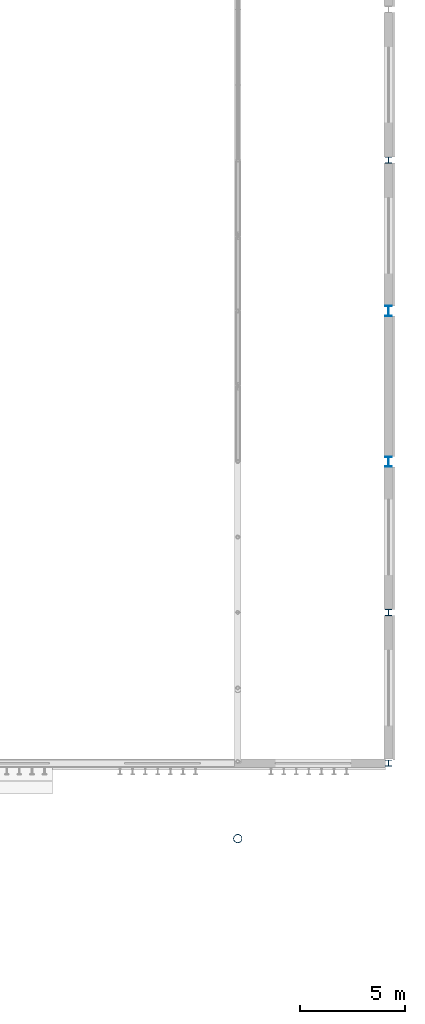
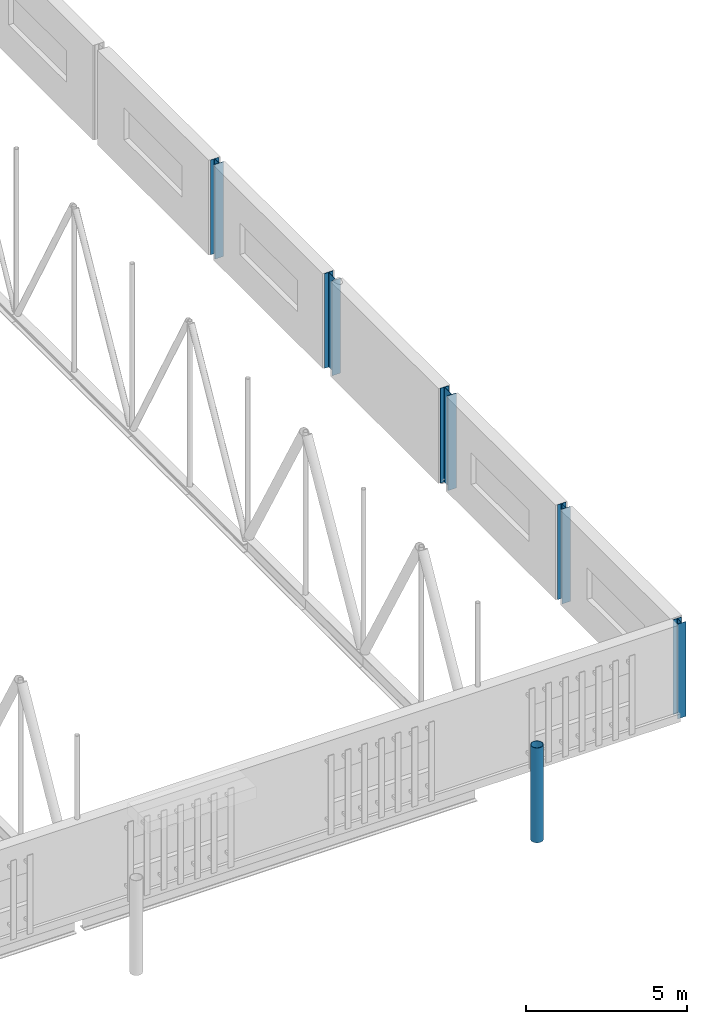
# One storey, part 16 of 142: 6 columns.
"""IFC4 building model written with IfcOpenShell, lengths in metres."""

from ifc_helpers import new_model, si_unit, direction, frame, origin, origin_2d, place, context, subcontext, project, spatial, hollow_circle, i_section, extrude, material, material_profile, profile_set, type_object, element, save


model = new_model("IFC4")

# Units and contexts
model_context = context("Model", 3, precision=1e-05, world=origin(), true_north=direction((0.0, 1.0)))
body_context = subcontext(model_context, "Body", "Model", "MODEL_VIEW")
ifc_project = project(units=[si_unit("LENGTHUNIT", "METRE"), si_unit("AREAUNIT", "SQUARE_METRE"), si_unit("VOLUMEUNIT", "CUBIC_METRE"), si_unit("PLANEANGLEUNIT", "RADIAN"), si_unit("MASSUNIT", "GRAM", prefix="KILO")], contexts=[model_context])

# Site, building, storey
site_placement = place(None, origin())
site = spatial("IfcSite", under=ifc_project, at=site_placement, CompositionType="ELEMENT")
building_placement = place(site_placement, origin())
building = spatial("IfcBuilding", under=site, at=building_placement, Name="Kupolbacken Congress Centre", CompositionType="ELEMENT")
storey_placement = place(building_placement, frame((0.0, 0.0, 14.39990234375)))
storey = spatial("IfcBuildingStorey", under=building, at=storey_placement, Name="L04", CompositionType="ELEMENT", Elevation=14.39990234375)

# Columns
ifc_material_1 = material(Name="Steel S355", Category="steel")
ifc_material_profile_1 = material_profile(ifc_material_1, i_section(OverallWidth=0.300048828125, OverallDepth=0.2900390625, WebThickness=0.008544921875, FlangeThickness=0.013916015625, FilletRadius=0.027099609375, at=origin_2d()), Name="HEA 300")
ifc_profile_set_1 = profile_set([ifc_material_profile_1], Name="Steel S355")
column_type_1 = type_object("IfcColumnType", Name="C09 column HEA 300", PredefinedType="COLUMN", material=ifc_profile_set_1)
for number, where, z_axis, x_axis, name in (
    (1, (201.60009765625, 43.199951171875, 0.0), (0.0, 0.0, 1.0), (1.0, 0.0, 0.0), "S/col/C-H-PE01/L04"),
    (2, (201.60009765625, 50.39990234375, 0.0), (0.0, 0.0, 1.0), (1.0, 0.0, 0.0), "S/col/C-H-PE02/L04"),
    (3, (201.60009765625, 72.0, 0.0), (0.0, 0.0, 1.0), (1.0, 0.0, 0.0), "S/col/C-H-PE05/L04"),
):
    element("IfcColumn", number, at=place(storey_placement, frame(where, z_axis=z_axis, x_axis=x_axis)), inside=storey, type_object=column_type_1, Name=name, PredefinedType="COLUMN", context=body_context, shape_type="SweptSolid", body=[
        extrude(i_section(OverallWidth=0.300048828125, OverallDepth=0.2900390625, WebThickness=0.008544921875, FlangeThickness=0.013916015625, FilletRadius=0.027099609375, at=origin_2d()), origin(), (0.0, 0.0, 1.0), 3.60009765625),
    ])
ifc_material_2 = material(Name="Steel S355", Category="steel")
ifc_material_profile_2 = material_profile(ifc_material_2, i_section(OverallWidth=0.300048828125, OverallDepth=0.489990234375, WebThickness=0.011962890625, FlangeThickness=0.02294921875, FilletRadius=0.027099609375, at=origin_2d()), Name="HEA 500")
ifc_profile_set_2 = profile_set([ifc_material_profile_2], Name="Steel S355")
column_type_2 = type_object("IfcColumnType", Name="C14 column HEA 500", PredefinedType="COLUMN", material=ifc_profile_set_2)
for number, where, z_axis, x_axis, name in (
    (4, (201.60009765625, 57.60009765625, 0.0), (0.0, 0.0, 1.0), (1.0, 0.0, 0.0), "S/col/C-H-PE03/L04"),
    (5, (201.60009765625, 64.800048828125, 0.0), (0.0, 0.0, 1.0), (1.0, 0.0, 0.0), "S/col/C-H-PE04/L04"),
):
    element("IfcColumn", number, at=place(storey_placement, frame(where, z_axis=z_axis, x_axis=x_axis)), inside=storey, type_object=column_type_2, Name=name, PredefinedType="COLUMN", context=body_context, shape_type="SweptSolid", body=[
        extrude(i_section(OverallWidth=0.300048828125, OverallDepth=0.489990234375, WebThickness=0.011962890625, FlangeThickness=0.02294921875, FilletRadius=0.027099609375, at=origin_2d()), origin(), (0.0, 0.0, 1.0), 3.60009765625),
    ])
ifc_material_3 = material(Name="Steel S355", Category="steel")
ifc_material_profile_3 = material_profile(ifc_material_3, hollow_circle(Radius=0.203125, WallThickness=0.01611328125, at=origin_2d()), Name="CHS 406.4 x 16")
ifc_profile_set_3 = profile_set([ifc_material_profile_3], Name="Steel S355")
column_type_3 = type_object("IfcColumnType", Name="C15 roof mast CHS 406.4 x 16", PredefinedType="COLUMN", material=ifc_profile_set_3)
column_placement = place(storey_placement, frame((194.39990234375, 39.60009765625, 0.0), z_axis=(0.0, 0.0, 1.0), x_axis=(1.0, 0.0, 0.0)))
element("IfcColumn", 6, at=column_placement, inside=storey, type_object=column_type_3, Name="Roof mast M8S", PredefinedType="COLUMN", context=body_context, shape_type="SweptSolid", body=[
    extrude(hollow_circle(Radius=0.203125, WallThickness=0.01611328125, at=origin_2d()), origin(), (0.0, 0.0, 1.0), 3.60009765625),
])

save(model, "model.ifc")
